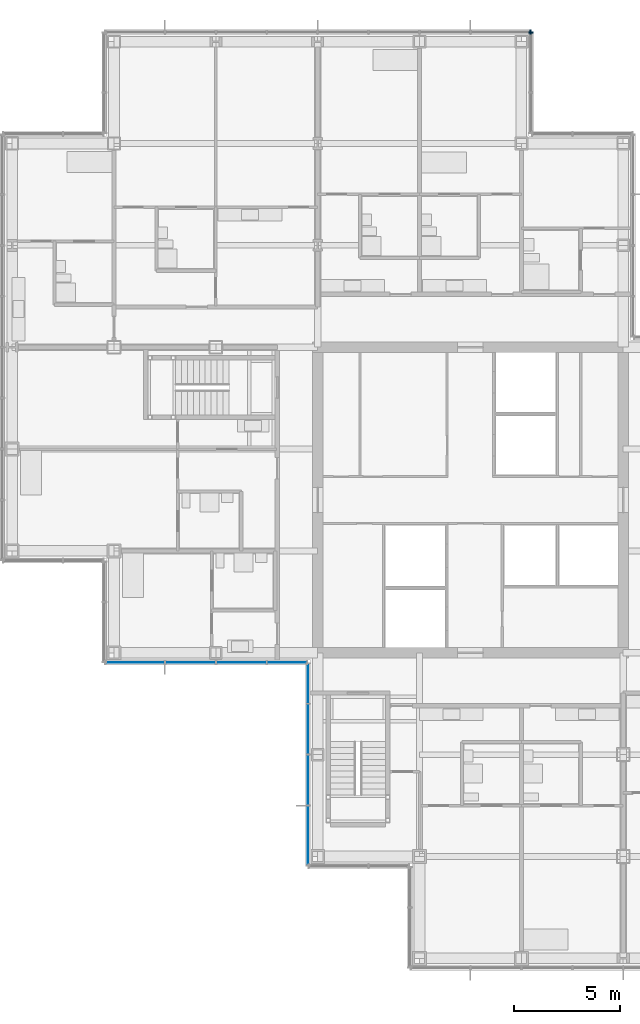
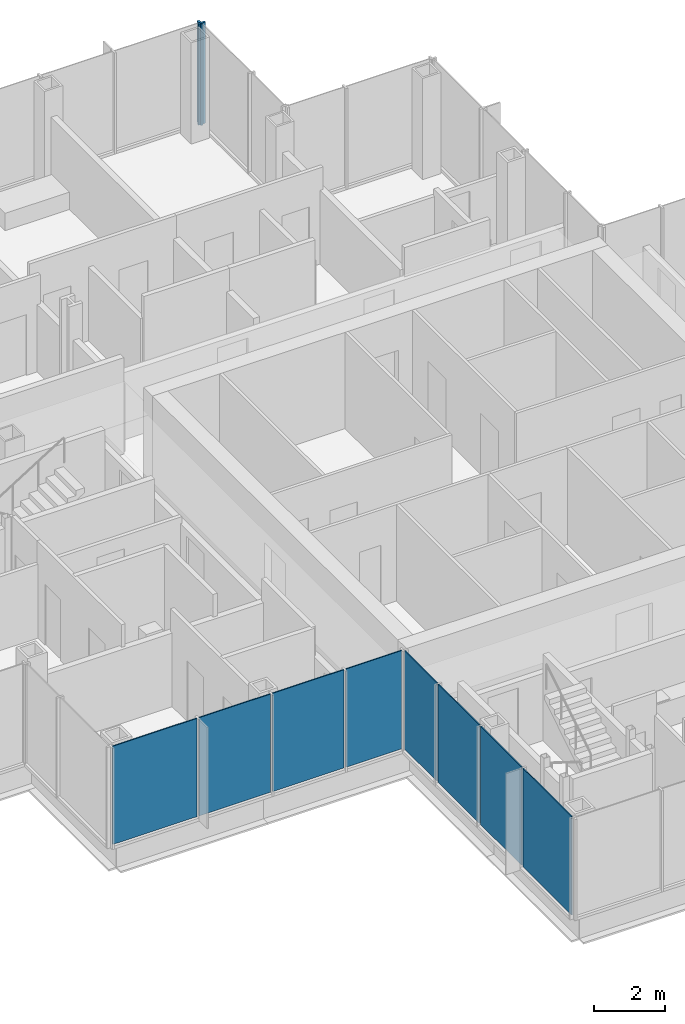
# One storey, part 11 of 20: 8 plates, 2 members, 4 elements without a shape of their own.
"""IFC4 building model written with IfcOpenShell, lengths in metres."""

import ifcopenshell
import ifcopenshell.guid

model = None  # the IFC model being written
_history = None  # IfcOwnerHistory: only IFC2X3 demands one
_inside = {}  # id of a spatial element -> (the spatial element, [elements in it])
_under = {}  # id of a project, library or spatial element -> (it, [spatial elements below it])
_declared = {}  # id of a project -> (the project, [libraries it declares])
_typed = {}  # id of a type object -> (the type object, [elements of that type])
_made_of = {}  # id of a material, layer set ... -> (it, [elements and type objects made of it])


def new_model(schema):
    """Start an empty IFC model of exactly this schema.

    Asked for "IFC4X3", IfcOpenShell would pick the latest addendum, in which some entities
    have other attributes; the version numbers below select the first issue.
    IFC2X3 requires an IfcOwnerHistory on every rooted entity: one is made here for all.
    """
    global model, _history
    if schema == "IFC4X3":
        model = ifcopenshell.file(schema_version=(4, 3, 0, 0))
    else:
        model = ifcopenshell.file(schema=schema)
    _inside.clear()
    _under.clear()
    _declared.clear()
    _typed.clear()
    _made_of.clear()
    _history = None
    if model.schema == "IFC2X3":
        org = make("IfcOrganization", Name="unknown")
        user = make(
            "IfcPersonAndOrganization",
            ThePerson=make("IfcPerson", FamilyName="unknown"),
            TheOrganization=org,
        )
        app = make(
            "IfcApplication",
            ApplicationDeveloper=org,
            Version="unknown",
            ApplicationFullName="unknown",
            ApplicationIdentifier="unknown",
        )
        _history = make(
            "IfcOwnerHistory",
            OwningUser=user,
            OwningApplication=app,
            ChangeAction="ADDED",
            CreationDate=0,
        )
    return model


def make(cls, **values):
    """One entity of the class cls with the attributes given. An attribute that is None is left unset."""
    return model.create_entity(
        cls, **{name: value for name, value in values.items() if value is not None}
    )


def rooted(cls, **values):
    """An entity with a GlobalId (a new one), such as an element, a storey or a relation."""
    return make(cls, GlobalId=ifcopenshell.guid.new(), OwnerHistory=_history, **values)


def si_unit(unit_type, name, prefix=None):
    """IfcSIUnit, for example si_unit("LENGTHUNIT", "METRE", prefix="MILLI")."""
    return make("IfcSIUnit", UnitType=unit_type, Prefix=prefix, Name=name)


def assignment(units):
    """IfcUnitAssignment: the units of a project."""
    return None if units is None else make("IfcUnitAssignment", Units=units)


def point(xyz):
    """IfcCartesianPoint."""
    return None if xyz is None else make("IfcCartesianPoint", Coordinates=xyz)


def direction(xyz):
    """IfcDirection."""
    return None if xyz is None else make("IfcDirection", DirectionRatios=xyz)


def frame(location, z_axis=None, x_axis=None):
    """IfcAxis2Placement3D, a coordinate frame: its origin and axes. An axis left out is left unset."""
    return make(
        "IfcAxis2Placement3D",
        Location=point(location),
        Axis=direction(z_axis),
        RefDirection=direction(x_axis),
    )


def frame_2d(location, x_axis=None):
    """IfcAxis2Placement2D, a coordinate frame in the plane: its origin and x axis."""
    return make(
        "IfcAxis2Placement2D", Location=point(location), RefDirection=direction(x_axis)
    )


def origin():
    """The frame at (0, 0, 0) with its axes left unset."""
    return frame((0.0, 0.0, 0.0))


def origin_2d():
    """The frame at (0, 0) in the plane with its x axis left unset."""
    return frame_2d((0.0, 0.0))


def place(relative_to, where):
    """IfcLocalPlacement: puts the frame where relative to a parent placement (None: the world)."""
    return make(
        "IfcLocalPlacement", PlacementRelTo=relative_to, RelativePlacement=where
    )


def context(
    kind, dimensions, precision=None, world=None, true_north=None, identifier=None
):
    """IfcGeometricRepresentationContext, for example the 3D "Model" context."""
    return make(
        "IfcGeometricRepresentationContext",
        ContextIdentifier=identifier,
        ContextType=kind,
        CoordinateSpaceDimension=dimensions,
        Precision=precision,
        WorldCoordinateSystem=world,
        TrueNorth=true_north,
    )


def subcontext(parent, identifier, kind, view, scale=None):
    """IfcGeometricRepresentationSubContext, for example "Body" below "Model"."""
    return make(
        "IfcGeometricRepresentationSubContext",
        ContextIdentifier=identifier,
        ContextType=kind,
        ParentContext=parent,
        TargetScale=scale,
        TargetView=view,
    )


def project(units=None, contexts=None):
    """IfcProject with its units and contexts."""
    return rooted(
        "IfcProject",
        Name="project",
        RepresentationContexts=contexts,
        UnitsInContext=assignment(units),
    )


def spatial(cls, under=None, at=None, **own):
    """A site, building, storey or space (cls), placed at a placement, below another one or the project."""
    s = rooted(cls, ObjectPlacement=at, **own)
    if under is not None:
        _under.setdefault(under.id(), (under, []))[1].append(s)
    return s


def profile(cls, at=None, kind="AREA", **sizes):
    """A parametric profile (cls). Its sizes go by their IFC names, for example OverallWidth=200.0."""
    return make(cls, ProfileType=kind, Position=at, **sizes)


def rectangle(**sizes):
    """IfcRectangleProfileDef."""
    return profile("IfcRectangleProfileDef", **sizes)


def extrude(swept, where, along, depth):
    """IfcExtrudedAreaSolid: the profile swept, set in the frame where, extruded along a direction by depth."""
    return make(
        "IfcExtrudedAreaSolid",
        SweptArea=swept,
        Position=where,
        ExtrudedDirection=direction(along),
        Depth=depth,
    )


def shape(context_of_items, identifier, shape_type, items):
    """IfcShapeRepresentation: the items that make up one representation, for example the "Body"."""
    return make(
        "IfcShapeRepresentation",
        ContextOfItems=context_of_items,
        RepresentationIdentifier=identifier,
        RepresentationType=shape_type,
        Items=items,
    )


def material(Name=None, Category=None):
    """IfcMaterial."""
    return make("IfcMaterial", Name=Name, Category=Category)


def layer(
    of_material, thickness, ventilated=None, Name=None, Category=None, Priority=None
):
    """IfcMaterialLayer: one layer of a wall or slab, of a material (None: an air gap)."""
    return make(
        "IfcMaterialLayer",
        Material=of_material,
        LayerThickness=thickness,
        IsVentilated=ventilated,
        Name=Name,
        Category=Category,
        Priority=Priority,
    )


def layer_set(layers, Name=None):
    """IfcMaterialLayerSet."""
    return make("IfcMaterialLayerSet", MaterialLayers=layers, LayerSetName=Name)


def material_profile(
    of_material, cross_section, Name=None, Category=None, Priority=None
):
    """IfcMaterialProfile: a cross section and its material."""
    return make(
        "IfcMaterialProfile",
        Name=Name,
        Material=of_material,
        Profile=cross_section,
        Priority=Priority,
        Category=Category,
    )


def profile_set(profiles, Name=None, composite=None):
    """IfcMaterialProfileSet."""
    return make(
        "IfcMaterialProfileSet",
        Name=Name,
        MaterialProfiles=profiles,
        CompositeProfile=composite,
    )


def made_of(thing, what):
    """Note that an element or type object is made of a material, layer set ...; save() writes the relation."""
    if what is not None:
        _made_of.setdefault(what.id(), (what, []))[1].append(thing)
    return thing


def type_object(cls, material=None, **own):
    """A type object (cls), such as IfcWallType, which elements share."""
    return made_of(rooted(cls, **own), material)


def element(
    cls,
    number,
    at=None,
    inside=None,
    cuts=None,
    type_object=None,
    material=None,
    context=None,
    identifier="Body",
    shape_type=None,
    held_by="IfcProductDefinitionShape",
    body=None,
    shapes=None,
    **own,
):
    """One element of the class cls, such as IfcWall. Its Tag is "e" and its number.

    at: its placement. inside: the storey or other place that contains it. cuts: it is an
    opening in that element (IfcRelVoidsElement). A single representation is given by context,
    identifier, shape_type and body (its items); several are given by shapes. held_by: the class
    of the entity that holds the representations. save() writes the other relations.
    """
    e = rooted(cls, Tag="e%d" % number, ObjectPlacement=at, **own)
    if body is not None:
        shapes = [shape(context, identifier, shape_type, body)]
    if shapes is not None:
        e.Representation = make(held_by, Representations=shapes)
    if inside is not None:
        _inside.setdefault(inside.id(), (inside, []))[1].append(e)
    if cuts is not None:
        rooted(
            "IfcRelVoidsElement", RelatingBuildingElement=cuts, RelatedOpeningElement=e
        )
    if type_object is not None:
        _typed.setdefault(type_object.id(), (type_object, []))[1].append(e)
    return made_of(e, material)


def aggregate(whole, parts):
    """IfcRelAggregates: a whole, such as a stair, and the parts it consists of."""
    return rooted("IfcRelAggregates", RelatingObject=whole, RelatedObjects=parts)


def save(model, path):
    """Write the relations noted so far, then the file.

    IfcRelAggregates (storeys below a building ...), IfcRelContainedInSpatialStructure (elements
    in a storey), IfcRelDefinesByType, IfcRelAssociatesMaterial and IfcRelDeclares: one each for
    every whole, place, type object, material and project.
    """
    for whole, parts in _under.values():
        aggregate(whole, parts)
    for where, things in _inside.values():
        rooted(
            "IfcRelContainedInSpatialStructure",
            RelatedElements=things,
            RelatingStructure=where,
        )
    for kind, things in _typed.values():
        rooted("IfcRelDefinesByType", RelatedObjects=things, RelatingType=kind)
    for what, things in _made_of.values():
        rooted("IfcRelAssociatesMaterial", RelatedObjects=things, RelatingMaterial=what)
    for by, libraries in _declared.values():
        rooted("IfcRelDeclares", RelatingContext=by, RelatedDefinitions=libraries)
    model.write(path)


model = new_model("IFC4")

# Units and contexts
model_context = context("Model", 3, precision=1e-05, world=origin(), true_north=direction((0.0, 1.0)))
body_context = subcontext(model_context, "Body", "Model", "MODEL_VIEW")
ifc_project = project(units=[si_unit("LENGTHUNIT", "METRE"), si_unit("AREAUNIT", "SQUARE_METRE"), si_unit("VOLUMEUNIT", "CUBIC_METRE"), si_unit("PLANEANGLEUNIT", "RADIAN"), si_unit("MASSUNIT", "GRAM", prefix="KILO")], contexts=[model_context])

# Site, building, storey
site_placement = place(None, origin())
site = spatial("IfcSite", under=ifc_project, at=site_placement, CompositionType="ELEMENT")
building_placement = place(site_placement, origin())
building = spatial("IfcBuilding", under=site, at=building_placement, Name="Kvirike Care Tower", CompositionType="ELEMENT")
storey_placement = place(building_placement, frame((0.0, 0.0, 101.5)))
storey = spatial("IfcBuildingStorey", under=building, at=storey_placement, Name="L27", CompositionType="ELEMENT", Elevation=101.5)

# Curtain wall, member
ifc_material_1 = material(Name="Anodised aluminium stick system", Category="aluminium")
curtain_wall_type = type_object("IfcCurtainWallType", Name="CW-B STICK CURTAIN WALL", PredefinedType="NOTDEFINED", material=ifc_material_1)
curtain_wall_1_placement = place(storey_placement, origin())
curtain_wall_1 = element("IfcCurtainWall", 1, at=curtain_wall_1_placement, inside=storey, type_object=curtain_wall_type, Name="Curtain wall L27 face 7", PredefinedType="NOTDEFINED")
ifc_material_2 = material(Name="Bronze anodised aluminium mullion", Category="aluminium")
ifc_material_profile = material_profile(ifc_material_2, rectangle(XDim=0.06494140625, YDim=0.219970703125, at=origin_2d()), Name="CW-B MULLION 65x220")
ifc_profile_set = profile_set([ifc_material_profile], Name="Bronze anodised aluminium mullion")
member_type = type_object("IfcMemberType", Name="CW-B MULLION 65x220", PredefinedType="MULLION", material=ifc_profile_set)
member_1_placement = place(storey_placement, frame((24.4599609375, 58.027587890625, 0.0), z_axis=(0.0, 0.0, 1.0), x_axis=(0.0, 1.0, 0.0)))
member_1 = element("IfcMember", 2, at=member_1_placement, type_object=member_type, Name="CW-B mullion L27 face 7.3", PredefinedType="MULLION", context=body_context, shape_type="SweptSolid", body=[
    extrude(rectangle(XDim=0.06494140625, YDim=0.219970703125, at=origin_2d()), origin(), (0.0, 0.0, 1.0), 3.5),
])
aggregate(curtain_wall_1, [member_1])

curtain_wall_2_placement = place(storey_placement, origin())
curtain_wall_2 = element("IfcCurtainWall", 3, at=curtain_wall_2_placement, inside=storey, type_object=curtain_wall_type, Name="Curtain wall L27 face 8", PredefinedType="NOTDEFINED")
member_2_placement = place(storey_placement, frame((24.427490234375, 58.06005859375, 0.0), z_axis=(0.0, 0.0, 1.0), x_axis=(-1.0, 0.0, 0.0)))
member_2 = element("IfcMember", 4, at=member_2_placement, type_object=member_type, Name="CW-B mullion L27 face 8.1", PredefinedType="MULLION", context=body_context, shape_type="SweptSolid", body=[
    extrude(rectangle(XDim=0.06494140625, YDim=0.219970703125, at=origin_2d()), origin(), (0.0, 0.0, 1.0), 3.5),
])
aggregate(curtain_wall_2, [member_2])

# Curtain wall, plates
curtain_wall_3_placement = place(storey_placement, origin())
curtain_wall_3 = element("IfcCurtainWall", 5, at=curtain_wall_3_placement, inside=storey, type_object=curtain_wall_type, Name="Curtain wall L27 face 14", PredefinedType="NOTDEFINED")
ifc_material_3 = material(Name="Tinted double glazed unit", Category="glass")
ifc_layer = layer(ifc_material_3, 0.035888671875)
ifc_layer_set = layer_set([ifc_layer], Name="TINTED VISION PANEL 36")
plate_type = type_object("IfcPlateType", Name="TINTED VISION PANEL 36", PredefinedType="CURTAIN_PANEL", material=ifc_layer_set)
plate_1_placement = place(storey_placement, frame((5.7861328125, 28.340087890625, 0.10009765625), z_axis=(0.0, 0.0, 1.0), x_axis=(1.0, 0.0, 0.0)))
plate_1 = element("IfcPlate", 6, at=plate_1_placement, type_object=plate_type, Name="CW-B panel L27 face 14.1", PredefinedType="CURTAIN_PANEL", context=body_context, shape_type="SweptSolid", body=[
    extrude(rectangle(XDim=2.762451171875, YDim=0.035888671875, at=origin_2d()), origin(), (0.0, 0.0, 1.0), 3.39990234375),
])
plate_2_placement = place(storey_placement, frame((8.39990234375, 28.340087890625, 0.10009765625), z_axis=(0.0, 0.0, 1.0), x_axis=(1.0, 0.0, 0.0)))
plate_2 = element("IfcPlate", 7, at=plate_2_placement, type_object=plate_type, Name="CW-B panel L27 face 14.2", PredefinedType="CURTAIN_PANEL", context=body_context, shape_type="SweptSolid", body=[
    extrude(rectangle(XDim=2.3349609375, YDim=0.035888671875, at=origin_2d()), origin(), (0.0, 0.0, 1.0), 3.39990234375),
])
plate_3_placement = place(storey_placement, frame((10.800048828125, 28.340087890625, 0.10009765625), z_axis=(0.0, 0.0, 1.0), x_axis=(1.0, 0.0, 0.0)))
plate_3 = element("IfcPlate", 8, at=plate_3_placement, type_object=plate_type, Name="CW-B panel L27 face 14.3", PredefinedType="CURTAIN_PANEL", context=body_context, shape_type="SweptSolid", body=[
    extrude(rectangle(XDim=2.3349609375, YDim=0.035888671875, at=origin_2d()), origin(), (0.0, 0.0, 1.0), 3.39990234375),
])
plate_4_placement = place(storey_placement, frame((12.953857421875, 28.340087890625, 0.10009765625), z_axis=(0.0, 0.0, 1.0), x_axis=(1.0, 0.0, 0.0)))
plate_4 = element("IfcPlate", 9, at=plate_4_placement, type_object=plate_type, Name="CW-B panel L27 face 14.4", PredefinedType="CURTAIN_PANEL", context=body_context, shape_type="SweptSolid", body=[
    extrude(rectangle(XDim=1.842529296875, YDim=0.035888671875, at=origin_2d()), origin(), (0.0, 0.0, 1.0), 3.39990234375),
])
aggregate(curtain_wall_3, [plate_1, plate_2, plate_3, plate_4])

curtain_wall_4_placement = place(storey_placement, origin())
curtain_wall_4 = element("IfcCurtainWall", 10, at=curtain_wall_4_placement, inside=storey, type_object=curtain_wall_type, Name="Curtain wall L27 face 15", PredefinedType="NOTDEFINED")
plate_5_placement = place(storey_placement, frame((13.93994140625, 27.353759765625, 0.10009765625), z_axis=(0.0, 0.0, 1.0), x_axis=(0.0, -1.0, 0.0)))
plate_5 = element("IfcPlate", 11, at=plate_5_placement, type_object=plate_type, Name="CW-B panel L27 face 15.1", PredefinedType="CURTAIN_PANEL", context=body_context, shape_type="SweptSolid", body=[
    extrude(rectangle(XDim=1.842529296875, YDim=0.035888671875, at=origin_2d()), origin(), (0.0, 0.0, 1.0), 3.39990234375),
])
plate_6_placement = place(storey_placement, frame((13.93994140625, 25.199951171875, 0.10009765625), z_axis=(0.0, 0.0, 1.0), x_axis=(0.0, -1.0, 0.0)))
plate_6 = element("IfcPlate", 12, at=plate_6_placement, type_object=plate_type, Name="CW-B panel L27 face 15.2", PredefinedType="CURTAIN_PANEL", context=body_context, shape_type="SweptSolid", body=[
    extrude(rectangle(XDim=2.3349609375, YDim=0.035888671875, at=origin_2d()), origin(), (0.0, 0.0, 1.0), 3.39990234375),
])
plate_7_placement = place(storey_placement, frame((13.93994140625, 22.800048828125, 0.10009765625), z_axis=(0.0, 0.0, 1.0), x_axis=(0.0, -1.0, 0.0)))
plate_7 = element("IfcPlate", 13, at=plate_7_placement, type_object=plate_type, Name="CW-B panel L27 face 15.3", PredefinedType="CURTAIN_PANEL", context=body_context, shape_type="SweptSolid", body=[
    extrude(rectangle(XDim=2.3349609375, YDim=0.035888671875, at=origin_2d()), origin(), (0.0, 0.0, 1.0), 3.39990234375),
])
plate_8_placement = place(storey_placement, frame((13.93994140625, 20.186279296875, 0.10009765625), z_axis=(0.0, 0.0, 1.0), x_axis=(0.0, -1.0, 0.0)))
plate_8 = element("IfcPlate", 14, at=plate_8_placement, type_object=plate_type, Name="CW-B panel L27 face 15.4", PredefinedType="CURTAIN_PANEL", context=body_context, shape_type="SweptSolid", body=[
    extrude(rectangle(XDim=2.762451171875, YDim=0.035888671875, at=origin_2d()), origin(), (0.0, 0.0, 1.0), 3.39990234375),
])
aggregate(curtain_wall_4, [plate_5, plate_6, plate_7, plate_8])

save(model, "model.ifc")
